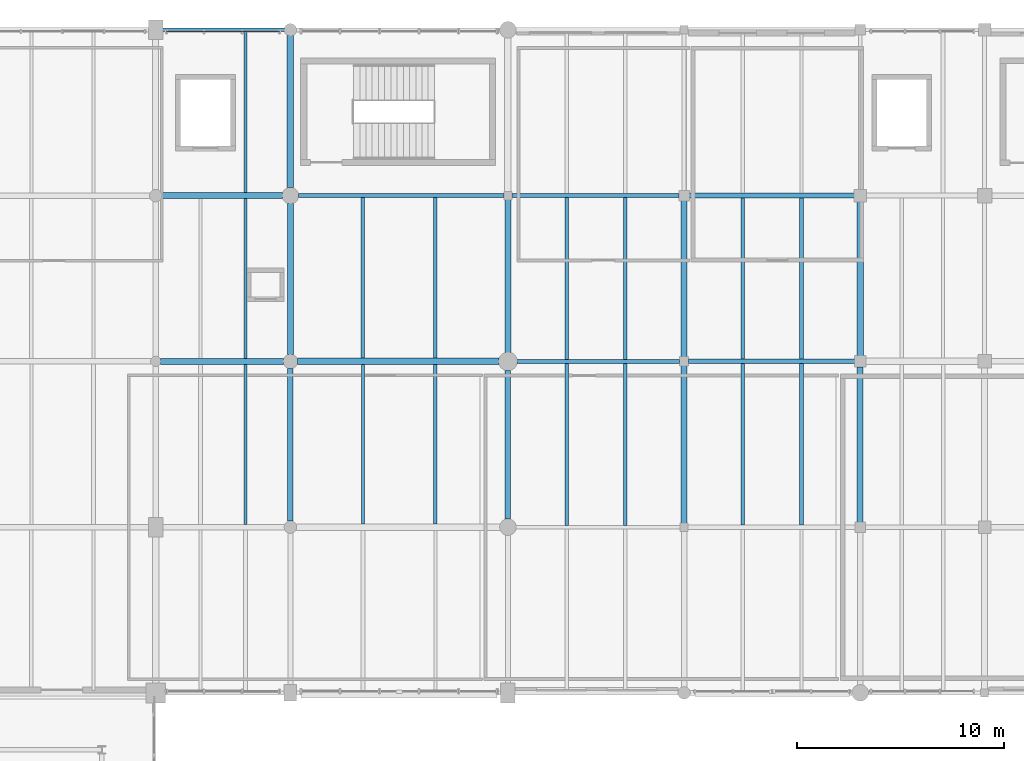
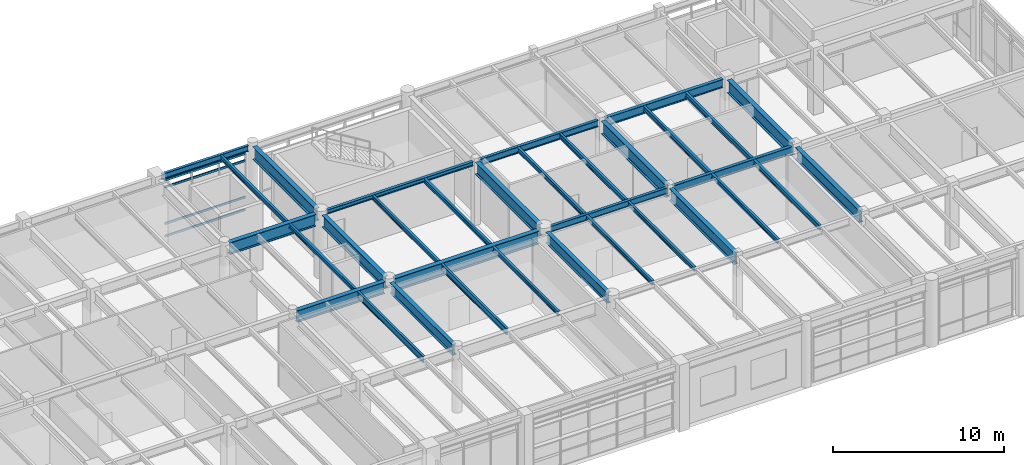
# One storey, part 143 of 200: 33 beams, 4 members, 1 element without a shape of its own.
"""IFC4 building model written with IfcOpenShell, lengths in metres."""

import ifcopenshell
import ifcopenshell.guid

model = None  # the IFC model being written
_history = None  # IfcOwnerHistory: only IFC2X3 demands one
_inside = {}  # id of a spatial element -> (the spatial element, [elements in it])
_under = {}  # id of a project, library or spatial element -> (it, [spatial elements below it])
_declared = {}  # id of a project -> (the project, [libraries it declares])
_typed = {}  # id of a type object -> (the type object, [elements of that type])
_made_of = {}  # id of a material, layer set ... -> (it, [elements and type objects made of it])


def new_model(schema):
    """Start an empty IFC model of exactly this schema.

    Asked for "IFC4X3", IfcOpenShell would pick the latest addendum, in which some entities
    have other attributes; the version numbers below select the first issue.
    IFC2X3 requires an IfcOwnerHistory on every rooted entity: one is made here for all.
    """
    global model, _history
    if schema == "IFC4X3":
        model = ifcopenshell.file(schema_version=(4, 3, 0, 0))
    else:
        model = ifcopenshell.file(schema=schema)
    _inside.clear()
    _under.clear()
    _declared.clear()
    _typed.clear()
    _made_of.clear()
    _history = None
    if model.schema == "IFC2X3":
        org = make("IfcOrganization", Name="unknown")
        user = make(
            "IfcPersonAndOrganization",
            ThePerson=make("IfcPerson", FamilyName="unknown"),
            TheOrganization=org,
        )
        app = make(
            "IfcApplication",
            ApplicationDeveloper=org,
            Version="unknown",
            ApplicationFullName="unknown",
            ApplicationIdentifier="unknown",
        )
        _history = make(
            "IfcOwnerHistory",
            OwningUser=user,
            OwningApplication=app,
            ChangeAction="ADDED",
            CreationDate=0,
        )
    return model


def make(cls, **values):
    """One entity of the class cls with the attributes given. An attribute that is None is left unset."""
    return model.create_entity(
        cls, **{name: value for name, value in values.items() if value is not None}
    )


def rooted(cls, **values):
    """An entity with a GlobalId (a new one), such as an element, a storey or a relation."""
    return make(cls, GlobalId=ifcopenshell.guid.new(), OwnerHistory=_history, **values)


def si_unit(unit_type, name, prefix=None):
    """IfcSIUnit, for example si_unit("LENGTHUNIT", "METRE", prefix="MILLI")."""
    return make("IfcSIUnit", UnitType=unit_type, Prefix=prefix, Name=name)


def assignment(units):
    """IfcUnitAssignment: the units of a project."""
    return None if units is None else make("IfcUnitAssignment", Units=units)


def point(xyz):
    """IfcCartesianPoint."""
    return None if xyz is None else make("IfcCartesianPoint", Coordinates=xyz)


def direction(xyz):
    """IfcDirection."""
    return None if xyz is None else make("IfcDirection", DirectionRatios=xyz)


def frame(location, z_axis=None, x_axis=None):
    """IfcAxis2Placement3D, a coordinate frame: its origin and axes. An axis left out is left unset."""
    return make(
        "IfcAxis2Placement3D",
        Location=point(location),
        Axis=direction(z_axis),
        RefDirection=direction(x_axis),
    )


def frame_2d(location, x_axis=None):
    """IfcAxis2Placement2D, a coordinate frame in the plane: its origin and x axis."""
    return make(
        "IfcAxis2Placement2D", Location=point(location), RefDirection=direction(x_axis)
    )


def origin():
    """The frame at (0, 0, 0) with its axes left unset."""
    return frame((0.0, 0.0, 0.0))


def origin_2d():
    """The frame at (0, 0) in the plane with its x axis left unset."""
    return frame_2d((0.0, 0.0))


def place(relative_to, where):
    """IfcLocalPlacement: puts the frame where relative to a parent placement (None: the world)."""
    return make(
        "IfcLocalPlacement", PlacementRelTo=relative_to, RelativePlacement=where
    )


def context(
    kind, dimensions, precision=None, world=None, true_north=None, identifier=None
):
    """IfcGeometricRepresentationContext, for example the 3D "Model" context."""
    return make(
        "IfcGeometricRepresentationContext",
        ContextIdentifier=identifier,
        ContextType=kind,
        CoordinateSpaceDimension=dimensions,
        Precision=precision,
        WorldCoordinateSystem=world,
        TrueNorth=true_north,
    )


def subcontext(parent, identifier, kind, view, scale=None):
    """IfcGeometricRepresentationSubContext, for example "Body" below "Model"."""
    return make(
        "IfcGeometricRepresentationSubContext",
        ContextIdentifier=identifier,
        ContextType=kind,
        ParentContext=parent,
        TargetScale=scale,
        TargetView=view,
    )


def project(units=None, contexts=None):
    """IfcProject with its units and contexts."""
    return rooted(
        "IfcProject",
        Name="project",
        RepresentationContexts=contexts,
        UnitsInContext=assignment(units),
    )


def spatial(cls, under=None, at=None, **own):
    """A site, building, storey or space (cls), placed at a placement, below another one or the project."""
    s = rooted(cls, ObjectPlacement=at, **own)
    if under is not None:
        _under.setdefault(under.id(), (under, []))[1].append(s)
    return s


def profile(cls, at=None, kind="AREA", **sizes):
    """A parametric profile (cls). Its sizes go by their IFC names, for example OverallWidth=200.0."""
    return make(cls, ProfileType=kind, Position=at, **sizes)


def hollow_rectangle(**sizes):
    """IfcRectangleHollowProfileDef."""
    return profile("IfcRectangleHollowProfileDef", **sizes)


def i_section(**sizes):
    """IfcIShapeProfileDef."""
    return profile("IfcIShapeProfileDef", **sizes)


def extrude(swept, where, along, depth):
    """IfcExtrudedAreaSolid: the profile swept, set in the frame where, extruded along a direction by depth."""
    return make(
        "IfcExtrudedAreaSolid",
        SweptArea=swept,
        Position=where,
        ExtrudedDirection=direction(along),
        Depth=depth,
    )


def shape(context_of_items, identifier, shape_type, items):
    """IfcShapeRepresentation: the items that make up one representation, for example the "Body"."""
    return make(
        "IfcShapeRepresentation",
        ContextOfItems=context_of_items,
        RepresentationIdentifier=identifier,
        RepresentationType=shape_type,
        Items=items,
    )


def material(Name=None, Category=None):
    """IfcMaterial."""
    return make("IfcMaterial", Name=Name, Category=Category)


def material_profile(
    of_material, cross_section, Name=None, Category=None, Priority=None
):
    """IfcMaterialProfile: a cross section and its material."""
    return make(
        "IfcMaterialProfile",
        Name=Name,
        Material=of_material,
        Profile=cross_section,
        Priority=Priority,
        Category=Category,
    )


def profile_set(profiles, Name=None, composite=None):
    """IfcMaterialProfileSet."""
    return make(
        "IfcMaterialProfileSet",
        Name=Name,
        MaterialProfiles=profiles,
        CompositeProfile=composite,
    )


def made_of(thing, what):
    """Note that an element or type object is made of a material, layer set ...; save() writes the relation."""
    if what is not None:
        _made_of.setdefault(what.id(), (what, []))[1].append(thing)
    return thing


def type_object(cls, material=None, **own):
    """A type object (cls), such as IfcWallType, which elements share."""
    return made_of(rooted(cls, **own), material)


def element(
    cls,
    number,
    at=None,
    inside=None,
    cuts=None,
    type_object=None,
    material=None,
    context=None,
    identifier="Body",
    shape_type=None,
    held_by="IfcProductDefinitionShape",
    body=None,
    shapes=None,
    **own,
):
    """One element of the class cls, such as IfcWall. Its Tag is "e" and its number.

    at: its placement. inside: the storey or other place that contains it. cuts: it is an
    opening in that element (IfcRelVoidsElement). A single representation is given by context,
    identifier, shape_type and body (its items); several are given by shapes. held_by: the class
    of the entity that holds the representations. save() writes the other relations.
    """
    e = rooted(cls, Tag="e%d" % number, ObjectPlacement=at, **own)
    if body is not None:
        shapes = [shape(context, identifier, shape_type, body)]
    if shapes is not None:
        e.Representation = make(held_by, Representations=shapes)
    if inside is not None:
        _inside.setdefault(inside.id(), (inside, []))[1].append(e)
    if cuts is not None:
        rooted(
            "IfcRelVoidsElement", RelatingBuildingElement=cuts, RelatedOpeningElement=e
        )
    if type_object is not None:
        _typed.setdefault(type_object.id(), (type_object, []))[1].append(e)
    return made_of(e, material)


def aggregate(whole, parts):
    """IfcRelAggregates: a whole, such as a stair, and the parts it consists of."""
    return rooted("IfcRelAggregates", RelatingObject=whole, RelatedObjects=parts)


def save(model, path):
    """Write the relations noted so far, then the file.

    IfcRelAggregates (storeys below a building ...), IfcRelContainedInSpatialStructure (elements
    in a storey), IfcRelDefinesByType, IfcRelAssociatesMaterial and IfcRelDeclares: one each for
    every whole, place, type object, material and project.
    """
    for whole, parts in _under.values():
        aggregate(whole, parts)
    for where, things in _inside.values():
        rooted(
            "IfcRelContainedInSpatialStructure",
            RelatedElements=things,
            RelatingStructure=where,
        )
    for kind, things in _typed.values():
        rooted("IfcRelDefinesByType", RelatedObjects=things, RelatingType=kind)
    for what, things in _made_of.values():
        rooted("IfcRelAssociatesMaterial", RelatedObjects=things, RelatingMaterial=what)
    for by, libraries in _declared.values():
        rooted("IfcRelDeclares", RelatingContext=by, RelatedDefinitions=libraries)
    model.write(path)


model = new_model("IFC4")

# Units and contexts
model_context = context("Model", 3, precision=1e-05, world=origin(), true_north=direction((0.0, 1.0)))
body_context = subcontext(model_context, "Body", "Model", "MODEL_VIEW")
ifc_project = project(units=[si_unit("LENGTHUNIT", "METRE"), si_unit("AREAUNIT", "SQUARE_METRE"), si_unit("VOLUMEUNIT", "CUBIC_METRE"), si_unit("PLANEANGLEUNIT", "RADIAN"), si_unit("MASSUNIT", "GRAM", prefix="KILO"), si_unit("THERMODYNAMICTEMPERATUREUNIT", "KELVIN"), si_unit("POWERUNIT", "WATT")], contexts=[model_context])

# Site, building, storey
site_placement = place(None, origin())
site = spatial("IfcSite", under=ifc_project, at=site_placement, CompositionType="ELEMENT")
building_placement = place(site_placement, origin())
building = spatial("IfcBuilding", under=site, at=building_placement, Name="Tepalcoro Natatorium and Aquatics Centre", CompositionType="ELEMENT")
storey_placement = place(building_placement, frame((0.0, 0.0, 5.39990234375)))
storey = spatial("IfcBuildingStorey", under=building, at=storey_placement, Name="L01", CompositionType="ELEMENT", Elevation=5.39990234375)

# Beams
ifc_material_1 = material(Name="Steel ASTM A992 Grade 50 (Fy 345 MPa)", Category="steel")
ifc_material_profile_1 = material_profile(ifc_material_1, i_section(OverallWidth=0.202880859375, OverallDepth=0.304931640625, WebThickness=0.007080078125, FlangeThickness=0.012939453125, FilletRadius=0.013916015625, at=origin_2d()), Name="W12X40")
ifc_profile_set_1 = profile_set([ifc_material_profile_1], Name="Steel ASTM A992 Grade 50 (Fy 345 MPa)")
beam_type_1 = type_object("IfcBeamType", Name="BM_W12x40", PredefinedType="BEAM", material=ifc_profile_set_1)
beam_1_placement = place(storey_placement, frame((131.885009765625, 110.0, 4.392578125), z_axis=(1.0, 0.0, 0.0), x_axis=(0.0, 1.0, 0.0)))
element("IfcBeam", 1, at=beam_1_placement, inside=storey, type_object=beam_type_1, Name="V5 L01 Grid Girder X", PredefinedType="BEAM", context=body_context, shape_type="SweptSolid", body=[
    extrude(i_section(OverallWidth=0.202880859375, OverallDepth=0.304931640625, WebThickness=0.007080078125, FlangeThickness=0.012939453125, FilletRadius=0.013916015625, at=origin_2d()), origin(), (0.0, 0.0, 1.0), 9.929931640625),
])
ifc_material_profile_2 = material_profile(ifc_material_1, i_section(OverallWidth=0.19091796875, OverallDepth=0.45703125, WebThickness=0.009033203125, FlangeThickness=0.013916015625, FilletRadius=0.013916015625, at=origin_2d()), Name="W18X50")
ifc_profile_set_2 = profile_set([ifc_material_profile_2], Name="Steel ASTM A992 Grade 50 (Fy 345 MPa)")
beam_type_2 = type_object("IfcBeamType", Name="BM_W18x50", PredefinedType="BEAM", material=ifc_profile_set_2)
beam_2_placement = place(storey_placement, frame((142.43505859375, 102.0, 4.316650390625), z_axis=(1.0, 0.0, 0.0), x_axis=(0.0, 1.0, 0.0)))
element("IfcBeam", 2, at=beam_2_placement, inside=storey, type_object=beam_type_2, Name="V5 L01 Grid Girder X", PredefinedType="BEAM", context=body_context, shape_type="SweptSolid", body=[
    extrude(i_section(OverallWidth=0.19091796875, OverallDepth=0.45703125, WebThickness=0.009033203125, FlangeThickness=0.013916015625, FilletRadius=0.013916015625, at=origin_2d()), origin(), (0.0, 0.0, 1.0), 7.85498046875),
])
ifc_material_profile_3 = material_profile(ifc_material_1, i_section(OverallWidth=0.193115234375, OverallDepth=0.467041015625, WebThickness=0.010986328125, FlangeThickness=0.01904296875, FilletRadius=0.013916015625, at=origin_2d()), Name="W18X65")
ifc_profile_set_3 = profile_set([ifc_material_profile_3], Name="Steel ASTM A992 Grade 50 (Fy 345 MPa)")
beam_type_3 = type_object("IfcBeamType", Name="BM_W18x65", PredefinedType="BEAM", material=ifc_profile_set_3)
beam_3_placement = place(storey_placement, frame((142.18505859375, 110.0, 4.3115234375), z_axis=(1.0, 0.0, 0.0), x_axis=(0.0, 1.0, 0.0)))
element("IfcBeam", 3, at=beam_3_placement, inside=storey, type_object=beam_type_3, Name="V5 L01 Grid Girder X", PredefinedType="BEAM", context=body_context, shape_type="SweptSolid", body=[
    extrude(i_section(OverallWidth=0.193115234375, OverallDepth=0.467041015625, WebThickness=0.010986328125, FlangeThickness=0.01904296875, FilletRadius=0.013916015625, at=origin_2d()), origin(), (0.0, 0.0, 1.0), 8.079833984375),
])
ifc_material_profile_4 = material_profile(ifc_material_1, i_section(OverallWidth=0.2119140625, OverallDepth=0.5439453125, WebThickness=0.012939453125, FlangeThickness=0.02099609375, FilletRadius=0.013916015625, at=origin_2d()), Name="W21X83")
ifc_profile_set_4 = profile_set([ifc_material_profile_4], Name="Steel ASTM A992 Grade 50 (Fy 345 MPa)")
beam_type_4 = type_object("IfcBeamType", Name="BM_W21x83", PredefinedType="BEAM", material=ifc_profile_set_4)
beam_4_placement = place(storey_placement, frame((150.7099609375, 102.0, 4.273193359375), z_axis=(1.0, 0.0, 0.0), x_axis=(0.0, 1.0, 0.0)))
element("IfcBeam", 4, at=beam_4_placement, inside=storey, type_object=beam_type_4, Name="V5 L01 Grid Girder X", PredefinedType="BEAM", context=body_context, shape_type="SweptSolid", body=[
    extrude(i_section(OverallWidth=0.2119140625, OverallDepth=0.5439453125, WebThickness=0.012939453125, FlangeThickness=0.02099609375, FilletRadius=0.013916015625, at=origin_2d()), origin(), (0.0, 0.0, 1.0), 8.030029296875),
])
ifc_material_profile_5 = material_profile(ifc_material_1, i_section(OverallWidth=0.22802734375, OverallDepth=0.60693359375, WebThickness=0.010986328125, FlangeThickness=0.01708984375, FilletRadius=0.013916015625, at=origin_2d()), Name="W24X76")
ifc_profile_set_5 = profile_set([ifc_material_profile_5], Name="Steel ASTM A992 Grade 50 (Fy 345 MPa)")
beam_type_5 = type_object("IfcBeamType", Name="BM_W24x76", PredefinedType="BEAM", material=ifc_profile_set_5)
beam_5_placement = place(storey_placement, frame((150.735107421875, 110.0, 4.24169921875), z_axis=(1.0, 0.0, 0.0), x_axis=(0.0, 1.0, 0.0)))
element("IfcBeam", 5, at=beam_5_placement, inside=storey, type_object=beam_type_5, Name="V5 L01 Grid Girder X", PredefinedType="BEAM", context=body_context, shape_type="SweptSolid", body=[
    extrude(i_section(OverallWidth=0.22802734375, OverallDepth=0.60693359375, WebThickness=0.010986328125, FlangeThickness=0.01708984375, FilletRadius=0.013916015625, at=origin_2d()), origin(), (0.0, 0.0, 1.0), 7.97998046875),
])
ifc_material_profile_6 = material_profile(ifc_material_1, i_section(OverallWidth=0.26708984375, OverallDepth=0.761962890625, WebThickness=0.013916015625, FlangeThickness=0.02197265625, FilletRadius=0.013916015625, at=origin_2d()), Name="W30X116")
ifc_profile_set_6 = profile_set([ifc_material_profile_6], Name="Steel ASTM A992 Grade 50 (Fy 345 MPa)")
beam_type_6 = type_object("IfcBeamType", Name="BM_W30x116", PredefinedType="BEAM", material=ifc_profile_set_6)
beam_6_placement = place(storey_placement, frame((131.5, 94.284912109375, 4.1640625), z_axis=(0.0, 1.0, 0.0), x_axis=(-1.0, 0.0, 0.0)))
element("IfcBeam", 6, at=beam_6_placement, inside=storey, type_object=beam_type_6, Name="V5 L01 Grid Girder Y", PredefinedType="BEAM", context=body_context, shape_type="SweptSolid", body=[
    extrude(i_section(OverallWidth=0.26708984375, OverallDepth=0.761962890625, WebThickness=0.013916015625, FlangeThickness=0.02197265625, FilletRadius=0.013916015625, at=origin_2d()), origin(), (0.0, 0.0, 1.0), 7.380126953125),
])
ifc_material_profile_7 = material_profile(ifc_material_1, i_section(OverallWidth=0.26708984375, OverallDepth=0.780029296875, WebThickness=0.01708984375, FlangeThickness=0.030029296875, FilletRadius=0.013916015625, at=origin_2d()), Name="W30X148")
ifc_profile_set_7 = profile_set([ifc_material_profile_7], Name="Steel ASTM A992 Grade 50 (Fy 345 MPa)")
beam_type_7 = type_object("IfcBeamType", Name="BM_W30x148", PredefinedType="BEAM", material=ifc_profile_set_7)
beam_7_placement = place(storey_placement, frame((142.0, 94.385009765625, 4.155029296875), z_axis=(0.0, 1.0, 0.0), x_axis=(-1.0, 0.0, 0.0)))
element("IfcBeam", 7, at=beam_7_placement, inside=storey, type_object=beam_type_7, Name="V5 L01 Grid Girder Y", PredefinedType="BEAM", context=body_context, shape_type="SweptSolid", body=[
    extrude(i_section(OverallWidth=0.26708984375, OverallDepth=0.780029296875, WebThickness=0.01708984375, FlangeThickness=0.030029296875, FilletRadius=0.013916015625, at=origin_2d()), origin(), (0.0, 0.0, 1.0), 7.179931640625),
])
ifc_material_profile_8 = material_profile(ifc_material_1, i_section(OverallWidth=0.2919921875, OverallDepth=0.845947265625, WebThickness=0.014892578125, FlangeThickness=0.02392578125, FilletRadius=0.013916015625, at=origin_2d()), Name="W33X141")
ifc_profile_set_8 = profile_set([ifc_material_profile_8], Name="Steel ASTM A992 Grade 50 (Fy 345 MPa)")
beam_type_8 = type_object("IfcBeamType", Name="BM_W33x141", PredefinedType="BEAM", material=ifc_profile_set_8)
beam_8_placement = place(storey_placement, frame((125.235107421875, 102.0, 4.1220703125), z_axis=(1.0, 0.0, 0.0), x_axis=(0.0, 1.0, 0.0)))
element("IfcBeam", 8, at=beam_8_placement, inside=storey, type_object=beam_type_8, Name="V5 L01 Grid Girder X", PredefinedType="BEAM", context=body_context, shape_type="SweptSolid", body=[
    extrude(i_section(OverallWidth=0.2919921875, OverallDepth=0.845947265625, WebThickness=0.014892578125, FlangeThickness=0.02392578125, FilletRadius=0.013916015625, at=origin_2d()), origin(), (0.0, 0.0, 1.0), 5.929931640625),
])
beam_9_placement = place(storey_placement, frame((131.5, 102.3349609375, 4.1220703125), z_axis=(0.0, 1.0, 0.0), x_axis=(-1.0, 0.0, 0.0)))
element("IfcBeam", 9, at=beam_9_placement, inside=storey, type_object=beam_type_8, Name="V5 L01 Grid Girder Y", PredefinedType="BEAM", context=body_context, shape_type="SweptSolid", body=[
    extrude(i_section(OverallWidth=0.2919921875, OverallDepth=0.845947265625, WebThickness=0.014892578125, FlangeThickness=0.02392578125, FilletRadius=0.013916015625, at=origin_2d()), origin(), (0.0, 0.0, 1.0), 7.280029296875),
])
beam_10_placement = place(storey_placement, frame((150.5, 94.18505859375, 4.1220703125), z_axis=(0.0, 1.0, 0.0), x_axis=(-1.0, 0.0, 0.0)))
element("IfcBeam", 10, at=beam_10_placement, inside=storey, type_object=beam_type_8, Name="V5 L01 Grid Girder Y", PredefinedType="BEAM", context=body_context, shape_type="SweptSolid", body=[
    extrude(i_section(OverallWidth=0.2919921875, OverallDepth=0.845947265625, WebThickness=0.014892578125, FlangeThickness=0.02392578125, FilletRadius=0.013916015625, at=origin_2d()), origin(), (0.0, 0.0, 1.0), 7.60498046875),
])
ifc_material_profile_9 = material_profile(ifc_material_1, i_section(OverallWidth=0.2919921875, OverallDepth=0.85888671875, WebThickness=0.01708984375, FlangeThickness=0.031005859375, FilletRadius=0.013916015625, at=origin_2d()), Name="W33X169")
ifc_profile_set_9 = profile_set([ifc_material_profile_9], Name="Steel ASTM A992 Grade 50 (Fy 345 MPa)")
beam_type_9 = type_object("IfcBeamType", Name="BM_W33x169", PredefinedType="BEAM", material=ifc_profile_set_9)
beam_11_placement = place(storey_placement, frame((125.284912109375, 110.0, 4.115478515625), z_axis=(1.0, 0.0, 0.0), x_axis=(0.0, 1.0, 0.0)))
element("IfcBeam", 11, at=beam_11_placement, inside=storey, type_object=beam_type_9, Name="V5 L01 Grid Girder X", PredefinedType="BEAM", context=body_context, shape_type="SweptSolid", body=[
    extrude(i_section(OverallWidth=0.2919921875, OverallDepth=0.85888671875, WebThickness=0.01708984375, FlangeThickness=0.031005859375, FilletRadius=0.013916015625, at=origin_2d()), origin(), (0.0, 0.0, 1.0), 5.830078125),
])
beam_12_placement = place(storey_placement, frame((142.0, 102.43505859375, 4.115478515625), z_axis=(0.0, 1.0, 0.0), x_axis=(-1.0, 0.0, 0.0)))
element("IfcBeam", 12, at=beam_12_placement, inside=storey, type_object=beam_type_9, Name="V5 L01 Grid Girder Y", PredefinedType="BEAM", context=body_context, shape_type="SweptSolid", body=[
    extrude(i_section(OverallWidth=0.2919921875, OverallDepth=0.85888671875, WebThickness=0.01708984375, FlangeThickness=0.031005859375, FilletRadius=0.013916015625, at=origin_2d()), origin(), (0.0, 0.0, 1.0), 7.3798828125),
])
beam_13_placement = place(storey_placement, frame((159.0, 94.235107421875, 4.115478515625), z_axis=(0.0, 1.0, 0.0), x_axis=(-1.0, 0.0, 0.0)))
element("IfcBeam", 13, at=beam_13_placement, inside=storey, type_object=beam_type_9, Name="V5 L01 Grid Girder Y", PredefinedType="BEAM", context=body_context, shape_type="SweptSolid", body=[
    extrude(i_section(OverallWidth=0.2919921875, OverallDepth=0.85888671875, WebThickness=0.01708984375, FlangeThickness=0.031005859375, FilletRadius=0.013916015625, at=origin_2d()), origin(), (0.0, 0.0, 1.0), 7.5048828125),
])
ifc_material_profile_10 = material_profile(ifc_material_1, i_section(OverallWidth=0.304931640625, OverallDepth=0.9189453125, WebThickness=0.01708984375, FlangeThickness=0.028076171875, FilletRadius=0.013916015625, at=origin_2d()), Name="W36X170")
ifc_profile_set_10 = profile_set([ifc_material_profile_10], Name="Steel ASTM A992 Grade 50 (Fy 345 MPa)")
beam_type_10 = type_object("IfcBeamType", Name="BM_W36x170", PredefinedType="BEAM", material=ifc_profile_set_10)
beam_14_placement = place(storey_placement, frame((131.5, 110.385009765625, 4.085693359375), z_axis=(0.0, 1.0, 0.0), x_axis=(-1.0, 0.0, 0.0)))
element("IfcBeam", 14, at=beam_14_placement, inside=storey, type_object=beam_type_10, Name="V5 L01 Grid Girder Y", PredefinedType="BEAM", context=body_context, shape_type="SweptSolid", body=[
    extrude(i_section(OverallWidth=0.304931640625, OverallDepth=0.9189453125, WebThickness=0.01708984375, FlangeThickness=0.028076171875, FilletRadius=0.013916015625, at=origin_2d()), origin(), (0.0, 0.0, 1.0), 7.330078125),
])
beam_15_placement = place(storey_placement, frame((150.5, 102.2099609375, 4.085693359375), z_axis=(0.0, 1.0, 0.0), x_axis=(-1.0, 0.0, 0.0)))
element("IfcBeam", 15, at=beam_15_placement, inside=storey, type_object=beam_type_10, Name="V5 L01 Grid Girder Y", PredefinedType="BEAM", context=body_context, shape_type="SweptSolid", body=[
    extrude(i_section(OverallWidth=0.304931640625, OverallDepth=0.9189453125, WebThickness=0.01708984375, FlangeThickness=0.028076171875, FilletRadius=0.013916015625, at=origin_2d()), origin(), (0.0, 0.0, 1.0), 7.554931640625),
])
ifc_material_profile_11 = material_profile(ifc_material_1, i_section(OverallWidth=0.31005859375, OverallDepth=0.931884765625, WebThickness=0.02099609375, FlangeThickness=0.034912109375, FilletRadius=0.013916015625, at=origin_2d()), Name="W36X210")
ifc_profile_set_11 = profile_set([ifc_material_profile_11], Name="Steel ASTM A992 Grade 50 (Fy 345 MPa)")
beam_type_11 = type_object("IfcBeamType", Name="BM_W36x210", PredefinedType="BEAM", material=ifc_profile_set_11)
beam_16_placement = place(storey_placement, frame((131.8349609375, 102.0, 4.0791015625), z_axis=(1.0, 0.0, 0.0), x_axis=(0.0, 1.0, 0.0)))
element("IfcBeam", 16, at=beam_16_placement, inside=storey, type_object=beam_type_11, Name="V5 L01 Grid Girder X", PredefinedType="BEAM", context=body_context, shape_type="SweptSolid", body=[
    extrude(i_section(OverallWidth=0.31005859375, OverallDepth=0.931884765625, WebThickness=0.02099609375, FlangeThickness=0.034912109375, FilletRadius=0.013916015625, at=origin_2d()), origin(), (0.0, 0.0, 1.0), 9.72998046875),
])
beam_17_placement = place(storey_placement, frame((159.0, 102.260009765625, 4.0791015625), z_axis=(0.0, 1.0, 0.0), x_axis=(-1.0, 0.0, 0.0)))
element("IfcBeam", 17, at=beam_17_placement, inside=storey, type_object=beam_type_11, Name="V5 L01 Grid Girder Y", PredefinedType="BEAM", context=body_context, shape_type="SweptSolid", body=[
    extrude(i_section(OverallWidth=0.31005859375, OverallDepth=0.931884765625, WebThickness=0.02099609375, FlangeThickness=0.034912109375, FilletRadius=0.013916015625, at=origin_2d()), origin(), (0.0, 0.0, 1.0), 7.455078125),
])

# Curtain wall, members
ifc_material_2 = material(Name="Bronze-Anodised Extruded Aluminium Alloy EN AW-6063 T6", Category="aluminium")
curtain_wall_type = type_object("IfcCurtainWallType", Name="CW_LEAN_T2_EW", PredefinedType="USERDEFINED", material=ifc_material_2)
curtain_wall_placement = place(storey_placement, origin())
curtain_wall = element("IfcCurtainWall", 18, at=curtain_wall_placement, inside=storey, type_object=curtain_wall_type, Name="V5 L01 N Unitised Curtain Wall Bay 4", ObjectType="FACETED SOLAR GLAZING", PredefinedType="USERDEFINED")
ifc_material_profile_12 = material_profile(ifc_material_2, hollow_rectangle(XDim=0.070068359375, YDim=0.14990234375, WallThickness=0.00390625, at=origin_2d()), Name="AL70X150X4")
ifc_profile_set_12 = profile_set([ifc_material_profile_12], Name="Bronze-Anodised Extruded Aluminium Alloy EN AW-6063 T6")
member_type = type_object("IfcMemberType", Name="CW_TRN_70x150", PredefinedType="USERDEFINED", material=ifc_profile_set_12)
member_1_placement = place(storey_placement, frame((125.530029296875, 117.919921875, 0.050048828125), z_axis=(1.0, 0.0, 0.0), x_axis=(0.0, 1.0, 0.0)))
member_1 = element("IfcMember", 19, at=member_1_placement, type_object=member_type, Name="CW_LEAN_T2_EW Curtain Wall Transom", ObjectType="TRANSOM", PredefinedType="USERDEFINED", context=body_context, shape_type="SweptSolid", body=[
    extrude(hollow_rectangle(XDim=0.070068359375, YDim=0.14990234375, WallThickness=0.00390625, at=origin_2d()), origin(), (0.0, 0.0, 1.0), 5.43994140625),
])
member_2_placement = place(storey_placement, frame((125.530029296875, 117.919921875, 0.9501953125), z_axis=(1.0, 0.0, 0.0), x_axis=(0.0, 1.0, 0.0)))
member_2 = element("IfcMember", 20, at=member_2_placement, type_object=member_type, Name="CW_LEAN_T2_EW Curtain Wall Transom", ObjectType="TRANSOM", PredefinedType="USERDEFINED", context=body_context, shape_type="SweptSolid", body=[
    extrude(hollow_rectangle(XDim=0.070068359375, YDim=0.14990234375, WallThickness=0.00390625, at=origin_2d()), origin(), (0.0, 0.0, 1.0), 5.43994140625),
])
member_3_placement = place(storey_placement, frame((125.530029296875, 117.919921875, 3.567138671875), z_axis=(1.0, 0.0, 0.0), x_axis=(0.0, 1.0, 0.0)))
member_3 = element("IfcMember", 21, at=member_3_placement, type_object=member_type, Name="CW_LEAN_T2_EW Curtain Wall Transom", ObjectType="TRANSOM", PredefinedType="USERDEFINED", context=body_context, shape_type="SweptSolid", body=[
    extrude(hollow_rectangle(XDim=0.070068359375, YDim=0.14990234375, WallThickness=0.00390625, at=origin_2d()), origin(), (0.0, 0.0, 1.0), 5.43994140625),
])
member_4_placement = place(storey_placement, frame((125.530029296875, 117.919921875, 4.067138671875), z_axis=(1.0, 0.0, 0.0), x_axis=(0.0, 1.0, 0.0)))
member_4 = element("IfcMember", 22, at=member_4_placement, type_object=member_type, Name="CW_LEAN_T2_EW Curtain Wall Transom", ObjectType="TRANSOM", PredefinedType="USERDEFINED", context=body_context, shape_type="SweptSolid", body=[
    extrude(hollow_rectangle(XDim=0.070068359375, YDim=0.14990234375, WallThickness=0.00390625, at=origin_2d()), origin(), (0.0, 0.0, 1.0), 5.43994140625),
])
aggregate(curtain_wall, [member_1, member_2, member_3, member_4])

# Beams
ifc_material_profile_13 = material_profile(ifc_material_1, i_section(OverallWidth=0.1650390625, OverallDepth=0.31005859375, WebThickness=0.006103515625, FlangeThickness=0.010009765625, FilletRadius=0.013916015625, at=origin_2d()), Name="W12X26")
ifc_profile_set_13 = profile_set([ifc_material_profile_13], Name="Steel ASTM A992 Grade 50 (Fy 345 MPa)")
beam_type_12 = type_object("IfcBeamType", Name="JS_W12x26", PredefinedType="JOIST", material=ifc_profile_set_13)
beam_18_placement = place(storey_placement, frame((129.333251953125, 102.14599609375, 4.39013671875), z_axis=(0.0, 1.0, 0.0), x_axis=(-1.0, 0.0, 0.0)))
element("IfcBeam", 23, at=beam_18_placement, inside=storey, type_object=beam_type_12, Name="V5 L01 Floor Joist", PredefinedType="JOIST", context=body_context, shape_type="SweptSolid", body=[
    extrude(i_section(OverallWidth=0.1650390625, OverallDepth=0.31005859375, WebThickness=0.006103515625, FlangeThickness=0.010009765625, FilletRadius=0.013916015625, at=origin_2d()), origin(), (0.0, 0.0, 1.0), 7.7080078125),
])
beam_19_placement = place(storey_placement, frame((138.5, 94.152587890625, 4.39013671875), z_axis=(0.0, 1.0, 0.0), x_axis=(-1.0, 0.0, 0.0)))
element("IfcBeam", 24, at=beam_19_placement, inside=storey, type_object=beam_type_12, Name="V5 L01 Floor Joist", PredefinedType="JOIST", context=body_context, shape_type="SweptSolid", body=[
    extrude(i_section(OverallWidth=0.1650390625, OverallDepth=0.31005859375, WebThickness=0.006103515625, FlangeThickness=0.010009765625, FilletRadius=0.013916015625, at=origin_2d()), origin(), (0.0, 0.0, 1.0), 7.6923828125),
])
beam_20_placement = place(storey_placement, frame((135.0, 102.155029296875, 4.39013671875), z_axis=(0.0, 1.0, 0.0), x_axis=(-1.0, 0.0, 0.0)))
element("IfcBeam", 25, at=beam_20_placement, inside=storey, type_object=beam_type_12, Name="V5 L01 Floor Joist", PredefinedType="JOIST", context=body_context, shape_type="SweptSolid", body=[
    extrude(i_section(OverallWidth=0.1650390625, OverallDepth=0.31005859375, WebThickness=0.006103515625, FlangeThickness=0.010009765625, FilletRadius=0.013916015625, at=origin_2d()), origin(), (0.0, 0.0, 1.0), 7.743408203125),
])
beam_21_placement = place(storey_placement, frame((144.833251953125, 94.089111328125, 4.39013671875), z_axis=(0.0, 1.0, 0.0), x_axis=(-1.0, 0.0, 0.0)))
element("IfcBeam", 26, at=beam_21_placement, inside=storey, type_object=beam_type_12, Name="V5 L01 Floor Joist", PredefinedType="JOIST", context=body_context, shape_type="SweptSolid", body=[
    extrude(i_section(OverallWidth=0.1650390625, OverallDepth=0.31005859375, WebThickness=0.006103515625, FlangeThickness=0.010009765625, FilletRadius=0.013916015625, at=origin_2d()), origin(), (0.0, 0.0, 1.0), 7.8154296875),
])
ifc_material_profile_14 = material_profile(ifc_material_1, i_section(OverallWidth=0.1669921875, OverallDepth=0.318115234375, WebThickness=0.008056640625, FlangeThickness=0.012939453125, FilletRadius=0.013916015625, at=origin_2d()), Name="W12X35")
ifc_profile_set_14 = profile_set([ifc_material_profile_14], Name="Steel ASTM A992 Grade 50 (Fy 345 MPa)")
beam_type_13 = type_object("IfcBeamType", Name="JS_W12x35", PredefinedType="JOIST", material=ifc_profile_set_14)
beam_22_placement = place(storey_placement, frame((129.333251953125, 110.14599609375, 4.385986328125), z_axis=(0.0, 1.0, 0.0), x_axis=(-1.0, 0.0, 0.0)))
element("IfcBeam", 27, at=beam_22_placement, inside=storey, type_object=beam_type_13, Name="V5 L01 Floor Joist", PredefinedType="JOIST", context=body_context, shape_type="SweptSolid", body=[
    extrude(i_section(OverallWidth=0.1669921875, OverallDepth=0.318115234375, WebThickness=0.008056640625, FlangeThickness=0.012939453125, FilletRadius=0.013916015625, at=origin_2d()), origin(), (0.0, 0.0, 1.0), 7.763916015625),
])
beam_23_placement = place(storey_placement, frame((138.5, 102.155029296875, 4.385986328125), z_axis=(0.0, 1.0, 0.0), x_axis=(-1.0, 0.0, 0.0)))
element("IfcBeam", 28, at=beam_23_placement, inside=storey, type_object=beam_type_13, Name="V5 L01 Floor Joist", PredefinedType="JOIST", context=body_context, shape_type="SweptSolid", body=[
    extrude(i_section(OverallWidth=0.1669921875, OverallDepth=0.318115234375, WebThickness=0.008056640625, FlangeThickness=0.012939453125, FilletRadius=0.013916015625, at=origin_2d()), origin(), (0.0, 0.0, 1.0), 7.743408203125),
])
beam_24_placement = place(storey_placement, frame((147.666748046875, 94.089111328125, 4.385986328125), z_axis=(0.0, 1.0, 0.0), x_axis=(-1.0, 0.0, 0.0)))
element("IfcBeam", 29, at=beam_24_placement, inside=storey, type_object=beam_type_13, Name="V5 L01 Floor Joist", PredefinedType="JOIST", context=body_context, shape_type="SweptSolid", body=[
    extrude(i_section(OverallWidth=0.1669921875, OverallDepth=0.318115234375, WebThickness=0.008056640625, FlangeThickness=0.012939453125, FilletRadius=0.013916015625, at=origin_2d()), origin(), (0.0, 0.0, 1.0), 7.8154296875),
])
beam_25_placement = place(storey_placement, frame((144.833251953125, 102.095458984375, 4.385986328125), z_axis=(0.0, 1.0, 0.0), x_axis=(-1.0, 0.0, 0.0)))
element("IfcBeam", 30, at=beam_25_placement, inside=storey, type_object=beam_type_13, Name="V5 L01 Floor Joist", PredefinedType="JOIST", context=body_context, shape_type="SweptSolid", body=[
    extrude(i_section(OverallWidth=0.1669921875, OverallDepth=0.318115234375, WebThickness=0.008056640625, FlangeThickness=0.012939453125, FilletRadius=0.013916015625, at=origin_2d()), origin(), (0.0, 0.0, 1.0), 7.80810546875),
])
beam_26_placement = place(storey_placement, frame((153.333251953125, 94.10498046875, 4.385986328125), z_axis=(0.0, 1.0, 0.0), x_axis=(-1.0, 0.0, 0.0)))
element("IfcBeam", 31, at=beam_26_placement, inside=storey, type_object=beam_type_13, Name="V5 L01 Floor Joist", PredefinedType="JOIST", context=body_context, shape_type="SweptSolid", body=[
    extrude(i_section(OverallWidth=0.1669921875, OverallDepth=0.318115234375, WebThickness=0.008056640625, FlangeThickness=0.012939453125, FilletRadius=0.013916015625, at=origin_2d()), origin(), (0.0, 0.0, 1.0), 7.7890625),
])
ifc_material_profile_15 = material_profile(ifc_material_1, i_section(OverallWidth=0.1708984375, OverallDepth=0.35107421875, WebThickness=0.007080078125, FlangeThickness=0.010009765625, FilletRadius=0.013916015625, at=origin_2d()), Name="W14X30")
ifc_profile_set_15 = profile_set([ifc_material_profile_15], Name="Steel ASTM A992 Grade 50 (Fy 345 MPa)")
beam_type_14 = type_object("IfcBeamType", Name="JS_W14x30", PredefinedType="JOIST", material=ifc_profile_set_15)
beam_27_placement = place(storey_placement, frame((147.666748046875, 102.095458984375, 4.36962890625), z_axis=(0.0, 1.0, 0.0), x_axis=(-1.0, 0.0, 0.0)))
element("IfcBeam", 32, at=beam_27_placement, inside=storey, type_object=beam_type_14, Name="V5 L01 Floor Joist", PredefinedType="JOIST", context=body_context, shape_type="SweptSolid", body=[
    extrude(i_section(OverallWidth=0.1708984375, OverallDepth=0.35107421875, WebThickness=0.007080078125, FlangeThickness=0.010009765625, FilletRadius=0.013916015625, at=origin_2d()), origin(), (0.0, 0.0, 1.0), 7.80810546875),
])
beam_28_placement = place(storey_placement, frame((156.166748046875, 94.10498046875, 4.36962890625), z_axis=(0.0, 1.0, 0.0), x_axis=(-1.0, 0.0, 0.0)))
element("IfcBeam", 33, at=beam_28_placement, inside=storey, type_object=beam_type_14, Name="V5 L01 Floor Joist", PredefinedType="JOIST", context=body_context, shape_type="SweptSolid", body=[
    extrude(i_section(OverallWidth=0.1708984375, OverallDepth=0.35107421875, WebThickness=0.007080078125, FlangeThickness=0.010009765625, FilletRadius=0.013916015625, at=origin_2d()), origin(), (0.0, 0.0, 1.0), 7.7890625),
])
beam_29_placement = place(storey_placement, frame((153.333251953125, 102.10595703125, 4.36962890625), z_axis=(0.0, 1.0, 0.0), x_axis=(-1.0, 0.0, 0.0)))
element("IfcBeam", 34, at=beam_29_placement, inside=storey, type_object=beam_type_14, Name="V5 L01 Floor Joist", PredefinedType="JOIST", context=body_context, shape_type="SweptSolid", body=[
    extrude(i_section(OverallWidth=0.1708984375, OverallDepth=0.35107421875, WebThickness=0.007080078125, FlangeThickness=0.010009765625, FilletRadius=0.013916015625, at=origin_2d()), origin(), (0.0, 0.0, 1.0), 7.780029296875),
])
ifc_material_profile_16 = material_profile(ifc_material_1, i_section(OverallWidth=0.172119140625, OverallDepth=0.35791015625, WebThickness=0.008056640625, FlangeThickness=0.012939453125, FilletRadius=0.013916015625, at=origin_2d()), Name="W14X38")
ifc_profile_set_16 = profile_set([ifc_material_profile_16], Name="Steel ASTM A992 Grade 50 (Fy 345 MPa)")
beam_type_15 = type_object("IfcBeamType", Name="JS_W14x38", PredefinedType="JOIST", material=ifc_profile_set_16)
beam_30_placement = place(storey_placement, frame((156.166748046875, 102.10595703125, 4.3662109375), z_axis=(0.0, 1.0, 0.0), x_axis=(-1.0, 0.0, 0.0)))
element("IfcBeam", 35, at=beam_30_placement, inside=storey, type_object=beam_type_15, Name="V5 L01 Floor Joist", PredefinedType="JOIST", context=body_context, shape_type="SweptSolid", body=[
    extrude(i_section(OverallWidth=0.172119140625, OverallDepth=0.35791015625, WebThickness=0.008056640625, FlangeThickness=0.012939453125, FilletRadius=0.013916015625, at=origin_2d()), origin(), (0.0, 0.0, 1.0), 7.780029296875),
])
ifc_material_profile_17 = material_profile(ifc_material_1, i_section(OverallWidth=0.153076171875, OverallDepth=0.455078125, WebThickness=0.008056640625, FlangeThickness=0.012939453125, FilletRadius=0.013916015625, at=origin_2d()), Name="W18X40")
ifc_profile_set_17 = profile_set([ifc_material_profile_17], Name="Steel ASTM A992 Grade 50 (Fy 345 MPa)")
beam_type_16 = type_object("IfcBeamType", Name="JS_W18x40", PredefinedType="JOIST", material=ifc_profile_set_17)
beam_31_placement = place(storey_placement, frame((129.333251953125, 94.133544921875, 4.317626953125), z_axis=(0.0, 1.0, 0.0), x_axis=(-1.0, 0.0, 0.0)))
element("IfcBeam", 36, at=beam_31_placement, inside=storey, type_object=beam_type_16, Name="V5 L01 Floor Joist", PredefinedType="JOIST", context=body_context, shape_type="SweptSolid", body=[
    extrude(i_section(OverallWidth=0.153076171875, OverallDepth=0.455078125, WebThickness=0.008056640625, FlangeThickness=0.012939453125, FilletRadius=0.013916015625, at=origin_2d()), origin(), (0.0, 0.0, 1.0), 7.720458984375),
])
beam_32_placement = place(storey_placement, frame((135.0, 94.152587890625, 4.317626953125), z_axis=(0.0, 1.0, 0.0), x_axis=(-1.0, 0.0, 0.0)))
element("IfcBeam", 37, at=beam_32_placement, inside=storey, type_object=beam_type_16, Name="V5 L01 Floor Joist", PredefinedType="JOIST", context=body_context, shape_type="SweptSolid", body=[
    extrude(i_section(OverallWidth=0.153076171875, OverallDepth=0.455078125, WebThickness=0.008056640625, FlangeThickness=0.012939453125, FilletRadius=0.013916015625, at=origin_2d()), origin(), (0.0, 0.0, 1.0), 7.6923828125),
])
ifc_material_profile_18 = material_profile(ifc_material_1, i_section(OverallWidth=0.179931640625, OverallDepth=0.4130859375, WebThickness=0.010009765625, FlangeThickness=0.01611328125, FilletRadius=0.013916015625, at=origin_2d()), Name="W16X50")
ifc_profile_set_18 = profile_set([ifc_material_profile_18], Name="Steel ASTM A992 Grade 50 (Fy 345 MPa)")
beam_type_17 = type_object("IfcBeamType", Name="SP_HSS300x200x12", PredefinedType="SPANDREL", material=ifc_profile_set_18)
beam_33_placement = place(storey_placement, frame((125.3349609375, 118.0, 4.338623046875), z_axis=(1.0, 0.0, 0.0), x_axis=(0.0, 1.0, 0.0)))
element("IfcBeam", 38, at=beam_33_placement, inside=storey, type_object=beam_type_17, Name="V5 L01 Grid Girder X", PredefinedType="SPANDREL", context=body_context, shape_type="SweptSolid", body=[
    extrude(i_section(OverallWidth=0.179931640625, OverallDepth=0.4130859375, WebThickness=0.010009765625, FlangeThickness=0.01611328125, FilletRadius=0.013916015625, at=origin_2d()), origin(), (0.0, 0.0, 1.0), 5.880126953125),
])

save(model, "model.ifc")
